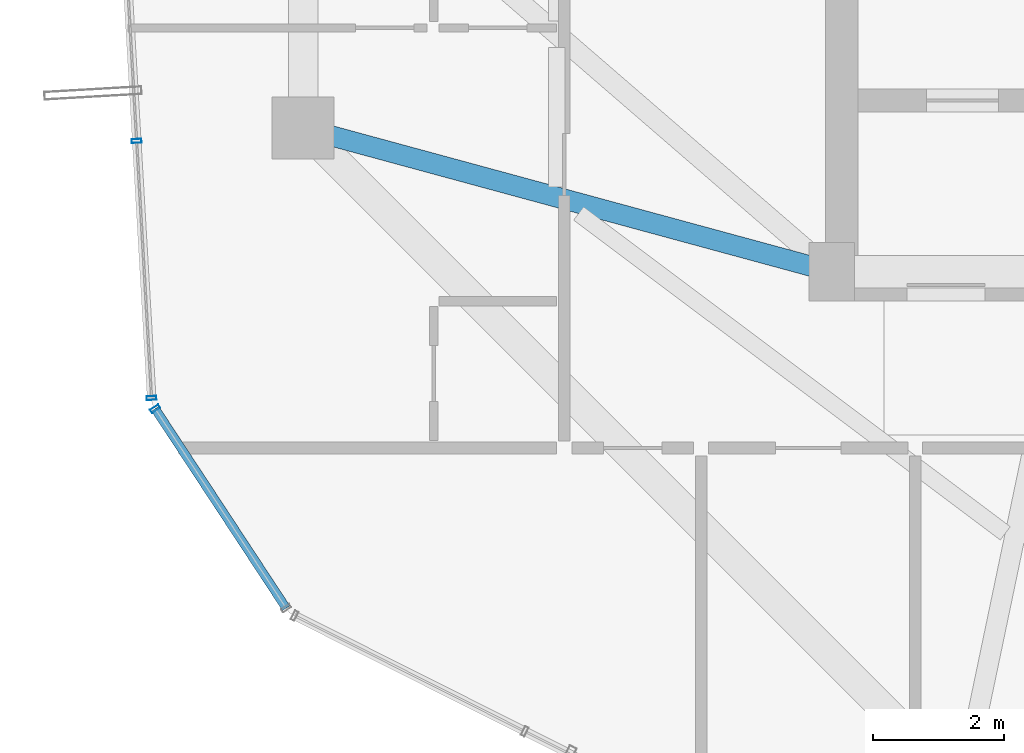
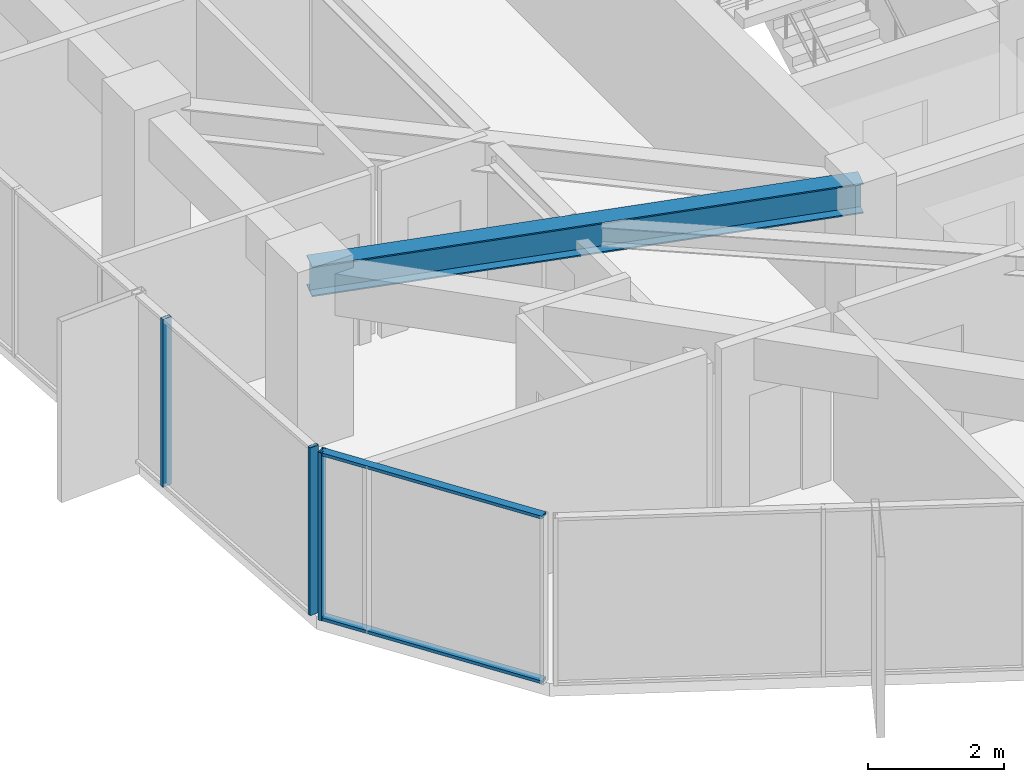
# One storey, part 5 of 33: 5 members, 1 beam, 2 elements without a shape of their own.
"""IFC4 building model written with IfcOpenShell, lengths in metres."""

from ifc_helpers import new_model, si_unit, direction, frame, origin, origin_2d, place, context, subcontext, project, spatial, hollow_rectangle, i_section, extrude, source, transform, mapped, material, layer, layer_set, material_profile, profile_set, type_object, element, aggregate, save


model = new_model("IFC4")

# Units and contexts
model_context = context("Model", 3, precision=1e-05, world=origin(), true_north=direction((0.0, 1.0)))
body_context = subcontext(model_context, "Body", "Model", "MODEL_VIEW")
ifc_project = project(units=[si_unit("LENGTHUNIT", "METRE"), si_unit("AREAUNIT", "SQUARE_METRE"), si_unit("VOLUMEUNIT", "CUBIC_METRE"), si_unit("PLANEANGLEUNIT", "RADIAN"), si_unit("MASSUNIT", "GRAM", prefix="KILO")], contexts=[model_context])

# Site, building, storey
site_placement = place(None, origin())
site = spatial("IfcSite", under=ifc_project, at=site_placement, CompositionType="ELEMENT")
building_placement = place(site_placement, origin())
building = spatial("IfcBuilding", under=site, at=building_placement, Name="Veraguas Prism Commons", CompositionType="ELEMENT")
storey_placement = place(building_placement, frame((0.0, 0.0, 195.10009765625)))
storey = spatial("IfcBuildingStorey", under=building, at=storey_placement, Name="L55", CompositionType="ELEMENT", Elevation=195.10009765625)

# Beam
ifc_material_1 = material(Name="Steel ASTM A992 Grade 50", Category="steel")
ifc_material_profile_1 = material_profile(ifc_material_1, i_section(OverallWidth=0.31103515625, OverallDepth=0.5458984375, WebThickness=0.0146484375, FlangeThickness=0.023681640625, at=origin_2d()), Name="W530X165")
ifc_profile_set_1 = profile_set([ifc_material_profile_1], Name="Steel ASTM A992 Grade 50")
beam_type = type_object("IfcBeamType", Name="Zone 3 Radial Girder W530x165", PredefinedType="BEAM", material=ifc_profile_set_1)
beam_placement = place(storey_placement, frame((9.10009765625, 19.199951171875, 2.741943359375), z_axis=(0.965038506703, -0.262108146725, 0.0), x_axis=(0.262108146725, 0.965038506703, 0.0)))
element("IfcBeam", 1, at=beam_placement, inside=storey, type_object=beam_type, Name="Radial Floor Girder L55-RD09", PredefinedType="BEAM", context=body_context, shape_type="SweptSolid", body=[
    extrude(i_section(OverallWidth=0.31103515625, OverallDepth=0.5458984375, WebThickness=0.0146484375, FlangeThickness=0.023681640625, at=origin_2d()), origin(), (0.0, 0.0, 1.0), 8.393310546875),
])

# Curtain wall, members
ifc_material_2 = material(Name="Anodised aluminium EN AW-6063 T6", Category="aluminium")
ifc_layer = layer(ifc_material_2, 0.14990234375, Name="Unitised Flush Curtain Wall Zone 3", Category="aluminium")
ifc_layer_set = layer_set([ifc_layer], Name="Anodised aluminium EN AW-6063 T6")
curtain_wall_type = type_object("IfcCurtainWallType", Name="Unitised Flush Curtain Wall Zone 3", PredefinedType="NOTDEFINED", material=ifc_layer_set)
curtain_wall_1_placement = place(storey_placement, origin())
curtain_wall_1 = element("IfcCurtainWall", 2, at=curtain_wall_1_placement, inside=storey, type_object=curtain_wall_type, Name="Tower Facade Curtain Wall L55-F3", PredefinedType="NOTDEFINED")
ifc_material_profile_2 = material_profile(ifc_material_2, hollow_rectangle(XDim=0.06005859375, YDim=0.14990234375, WallThickness=0.0029296875, at=origin_2d()), Name="AL60X150X3")
ifc_profile_set_2 = profile_set([ifc_material_profile_2], Name="Anodised aluminium EN AW-6063 T6")
member_type_1 = type_object("IfcMemberType", Name="Curtain Wall Mullion Upper AL 60x150x3", PredefinedType="MULLION", material=ifc_profile_set_2)
shared_shape_1 = source(origin(), body_context, "Body", "SweptSolid", [
    extrude(hollow_rectangle(XDim=0.06005859375, YDim=0.14990234375, WallThickness=0.0029296875, at=origin_2d()), origin(), (0.0, 0.0, 1.0), 3.014892578125),
])
member_1_placement = place(storey_placement, frame((6.5498046875, 19.00537109375, 0.0), z_axis=(0.0, 0.0, 1.0), x_axis=(0.05790902568, -0.998321864303, 0.0)))
member_1 = element("IfcMember", 3, at=member_1_placement, type_object=member_type_1, Name="CW-Z3 Mullion 4", PredefinedType="MULLION", context=body_context, shape_type="MappedRepresentation", body=[
    mapped(shared_shape_1, transform((0.0, 0.0, 0.0), scale=1.0)),
])
member_2_placement = place(storey_placement, frame((6.7783203125, 15.06640625, 0.0), z_axis=(0.0, 0.0, 1.0), x_axis=(0.05790902568, -0.998321864303, 0.0)))
member_2 = element("IfcMember", 4, at=member_2_placement, type_object=member_type_1, Name="CW-Z3 Mullion 5", PredefinedType="MULLION", context=body_context, shape_type="MappedRepresentation", body=[
    mapped(shared_shape_1, transform((0.0, 0.0, 0.0), scale=1.0)),
])
aggregate(curtain_wall_1, [member_1, member_2])

curtain_wall_2_placement = place(storey_placement, origin())
curtain_wall_2 = element("IfcCurtainWall", 5, at=curtain_wall_2_placement, inside=storey, type_object=curtain_wall_type, Name="Chamfer Curtain Wall L55-C4", PredefinedType="NOTDEFINED")
member_3_placement = place(storey_placement, frame((6.8330078125, 14.9013671875, 0.0), z_axis=(0.0, 0.0, 1.0), x_axis=(0.549270782864, -0.835644426231, 0.0)))
member_3 = element("IfcMember", 6, at=member_3_placement, type_object=member_type_1, Name="CW-Z3 Mullion 1", PredefinedType="MULLION", context=body_context, shape_type="MappedRepresentation", body=[
    mapped(shared_shape_1, transform((0.0, 0.0, 0.0), scale=1.0)),
])
ifc_material_profile_3 = material_profile(ifc_material_2, hollow_rectangle(XDim=0.054931640625, YDim=0.135009765625, WallThickness=0.0029296875, at=origin_2d()), Name="AL55X135X3")
ifc_profile_set_3 = profile_set([ifc_material_profile_3], Name="Anodised aluminium EN AW-6063 T6")
member_type_2 = type_object("IfcMemberType", Name="Curtain Wall Transom Standard AL 55x135x3", PredefinedType="USERDEFINED", material=ifc_profile_set_3)
shared_shape_2 = source(origin(), body_context, "Body", "SweptSolid", [
    extrude(hollow_rectangle(XDim=0.054931640625, YDim=0.135009765625, WallThickness=0.0029296875, at=origin_2d()), origin(), (0.0, 0.0, 1.0), 3.654296875),
])
member_4_placement = place(storey_placement, frame((6.8330078125, 14.9013671875, 0.02734375), z_axis=(0.549292528607, -0.835630132305, 0.0), x_axis=(0.0, 0.0, 1.0)))
member_4 = element("IfcMember", 7, at=member_4_placement, type_object=member_type_2, Name="CW-Z3 Transom 1", ObjectType="TRANSOM", PredefinedType="USERDEFINED", context=body_context, shape_type="MappedRepresentation", body=[
    mapped(shared_shape_2, transform((0.0, 0.0, 0.0), scale=1.0)),
])
member_5_placement = place(storey_placement, frame((6.8330078125, 14.9013671875, 2.9873046875), z_axis=(0.549292528607, -0.835630132305, 0.0), x_axis=(0.0, 0.0, 1.0)))
member_5 = element("IfcMember", 8, at=member_5_placement, type_object=member_type_2, Name="CW-Z3 Transom 2", ObjectType="TRANSOM", PredefinedType="USERDEFINED", context=body_context, shape_type="MappedRepresentation", body=[
    mapped(shared_shape_2, transform((0.0, 0.0, 0.0), scale=1.0)),
])
aggregate(curtain_wall_2, [member_3, member_4, member_5])

save(model, "model.ifc")
